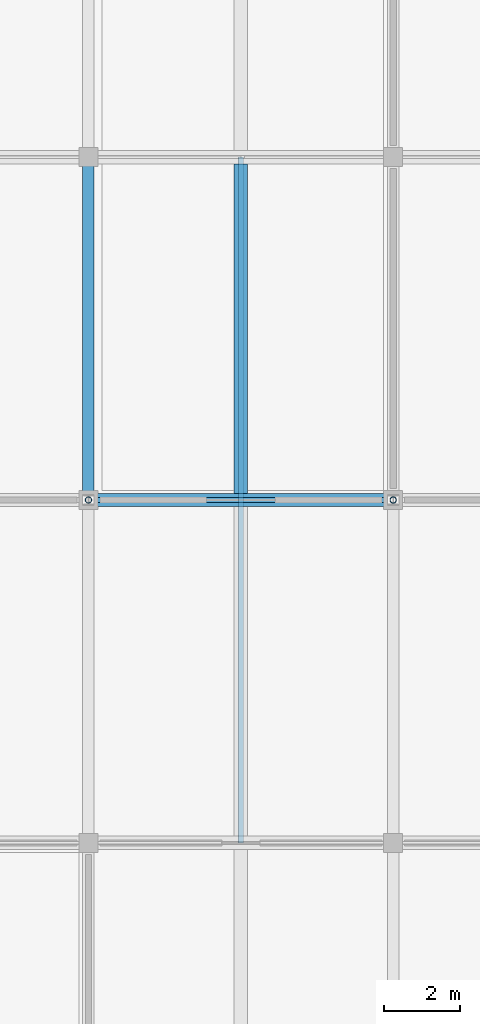
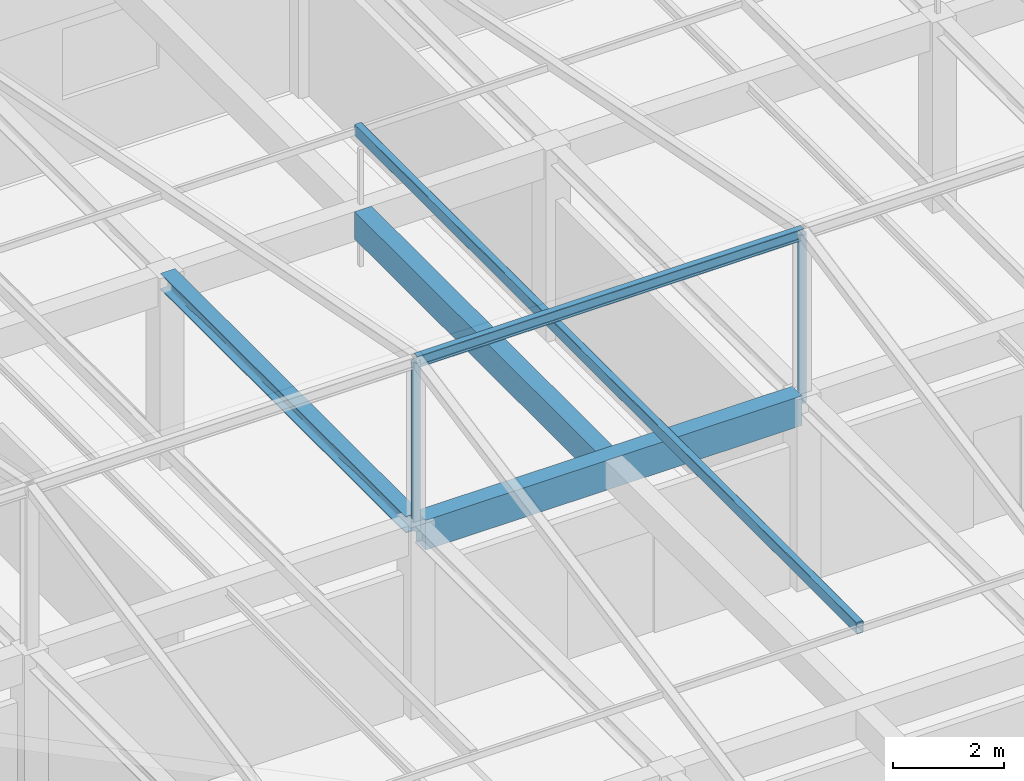
# One storey, part 14 of 65: 4 beams, 3 members.
"""IFC4 building model written with IfcOpenShell, lengths in metres."""

from ifc_helpers import new_model, si_unit, direction, frame, origin, origin_2d, place, context, subcontext, project, spatial, rectangle, hollow_rectangle, hollow_circle, i_section, extrude, material, material_profile, profile_set, type_object, element, save


model = new_model("IFC4")

# Units and contexts
model_context = context("Model", 3, precision=1e-05, world=origin(), true_north=direction((0.0, 1.0)))
body_context = subcontext(model_context, "Body", "Model", "MODEL_VIEW")
ifc_project = project(units=[si_unit("LENGTHUNIT", "METRE"), si_unit("AREAUNIT", "SQUARE_METRE"), si_unit("VOLUMEUNIT", "CUBIC_METRE"), si_unit("PLANEANGLEUNIT", "RADIAN"), si_unit("MASSUNIT", "GRAM", prefix="KILO")], contexts=[model_context])

# Site, building, storey
site_placement = place(None, origin())
site = spatial("IfcSite", under=ifc_project, at=site_placement, CompositionType="ELEMENT")
building_placement = place(site_placement, origin())
building = spatial("IfcBuilding", under=site, at=building_placement, Name="Varnabhumi Central Station", CompositionType="ELEMENT")
storey_placement = place(building_placement, frame((0.0, 0.0, 24.60009765625)))
storey = spatial("IfcBuildingStorey", under=building, at=storey_placement, Name="L05", CompositionType="ELEMENT", Elevation=24.60009765625)

# Beams
ifc_material_1 = material(Name="Structural steel E350", Category="steel")
ifc_material_profile_1 = material_profile(ifc_material_1, i_section(OverallWidth=0.125, OverallDepth=0.25, WebThickness=0.0068359375, FlangeThickness=0.012451171875, FilletRadius=0.012939453125, at=origin_2d()), Name="Structural steel E350", Category="steel")
ifc_profile_set_1 = profile_set([ifc_material_profile_1], Name="Structural steel E350")
beam_type_1 = type_object("IfcBeamType", Name="BM-PUR-ISMB250", PredefinedType="JOIST", material=ifc_profile_set_1)
beam_1_placement = place(storey_placement, frame((64.0, 18.0, 7.6298828125), z_axis=(1.0, 0.0, 0.0), x_axis=(0.0, 1.0, 0.0)))
element("IfcBeam", 1, at=beam_1_placement, inside=storey, type_object=beam_type_1, Name="Mission Roof Ridge Beam SW6E-5", PredefinedType="JOIST", context=body_context, shape_type="SweptSolid", body=[
    extrude(i_section(OverallWidth=0.125, OverallDepth=0.25, WebThickness=0.0068359375, FlangeThickness=0.012451171875, FilletRadius=0.012939453125, at=origin_2d()), origin(), (0.0, 0.0, 1.0), 8.0),
])
ifc_material_2 = material(Name="Concrete M40", Category="concrete")
ifc_material_profile_2 = material_profile(ifc_material_2, rectangle(XDim=0.35009765625, YDim=0.64990234375, at=origin_2d()), Name="Concrete M40", Category="concrete")
ifc_profile_set_2 = profile_set([ifc_material_profile_2], Name="Concrete M40")
beam_type_2 = type_object("IfcBeamType", Name="BM-RC-350x650", PredefinedType="BEAM", material=ifc_profile_set_2)
beam_2_placement = place(storey_placement, frame((64.10009765625, 18.0, 3.875), z_axis=(1.0, 0.0, 0.0), x_axis=(0.0, 1.0, 0.0)))
element("IfcBeam", 2, at=beam_2_placement, inside=storey, type_object=beam_type_2, Name="Beam L05-C:9-10", PredefinedType="BEAM", context=body_context, shape_type="SweptSolid", body=[
    extrude(rectangle(XDim=0.35009765625, YDim=0.64990234375, at=origin_2d()), origin(), (0.0, 0.0, 1.0), 7.7998046875),
])
ifc_material_profile_3 = material_profile(ifc_material_2, rectangle(XDim=0.35009765625, YDim=0.60009765625, at=origin_2d()), Name="Concrete M40", Category="concrete")
ifc_profile_set_3 = profile_set([ifc_material_profile_3], Name="Concrete M40")
beam_type_3 = type_object("IfcBeamType", Name="BM-RC-600x350", PredefinedType="JOIST", material=ifc_profile_set_3)
beam_3_placement = place(storey_placement, frame((68.0, 18.175048828125, 3.89990234375), z_axis=(0.0, 1.0, 0.0), x_axis=(-1.0, 0.0, 0.0)))
element("IfcBeam", 3, at=beam_3_placement, inside=storey, type_object=beam_type_3, Name="Secondary Joist L05-9/10:C-D", PredefinedType="JOIST", context=body_context, shape_type="SweptSolid", body=[
    extrude(rectangle(XDim=0.35009765625, YDim=0.60009765625, at=origin_2d()), origin(), (0.0, 0.0, 1.0), 8.64990234375),
])
ifc_material_profile_4 = material_profile(ifc_material_1, i_section(OverallWidth=0.300048828125, OverallDepth=0.360107421875, WebThickness=0.012451171875, FlangeThickness=0.0224609375, FilletRadius=0.027099609375, at=origin_2d()), Name="Structural steel E350", Category="steel")
ifc_profile_set_4 = profile_set([ifc_material_profile_4], Name="Structural steel E350")
beam_type_4 = type_object("IfcBeamType", Name="BM-STL-WPB360", PredefinedType="BEAM", material=ifc_profile_set_4)
beam_4_placement = place(storey_placement, frame((64.0, 18.10009765625, 4.02001953125), z_axis=(0.0, 1.0, 0.0), x_axis=(-1.0, 0.0, 0.0)))
element("IfcBeam", 4, at=beam_4_placement, inside=storey, type_object=beam_type_4, Name="Beam L05-9:C-D", PredefinedType="BEAM", context=body_context, shape_type="SweptSolid", body=[
    extrude(i_section(OverallWidth=0.300048828125, OverallDepth=0.360107421875, WebThickness=0.012451171875, FlangeThickness=0.0224609375, FilletRadius=0.027099609375, at=origin_2d()), origin(), (0.0, 0.0, 1.0), 8.7998046875),
])

# Members
ifc_material_profile_5 = material_profile(ifc_material_1, hollow_rectangle(XDim=0.14990234375, YDim=0.25, WallThickness=0.010009765625, InnerFilletRadius=0.010009765625, OuterFilletRadius=0.02001953125, at=origin_2d()), Name="Structural steel E350", Category="steel")
ifc_profile_set_5 = profile_set([ifc_material_profile_5], Name="Structural steel E350")
member_type_1 = type_object("IfcMemberType", Name="MBR-COLLAR-RHS", PredefinedType="COLLAR", material=ifc_profile_set_5)
member_placement = place(storey_placement, frame((68.0, 9.0, 5.844970703125), z_axis=(0.0, 1.0, 0.0), x_axis=(-1.0, 0.0, 0.0)))
element("IfcMember", 5, at=member_placement, inside=storey, type_object=member_type_1, Name="Mission Roof Collar Tie SW6E-5", PredefinedType="COLLAR", context=body_context, shape_type="SweptSolid", body=[
    extrude(hollow_rectangle(XDim=0.14990234375, YDim=0.25, WallThickness=0.010009765625, InnerFilletRadius=0.010009765625, OuterFilletRadius=0.02001953125, at=origin_2d()), origin(), (0.0, 0.0, 1.0), 18.0),
])
ifc_material_profile_6 = material_profile(ifc_material_1, hollow_circle(Radius=0.084228515625, WallThickness=0.008056640625, at=origin_2d()), Name="Structural steel E350", Category="steel")
ifc_profile_set_6 = profile_set([ifc_material_profile_6], Name="Structural steel E350")
member_type_2 = type_object("IfcMemberType", Name="MBR-STRUT-CHS168", PredefinedType="STRUT", material=ifc_profile_set_6)
for number, where, z_axis, x_axis, name in (
    (6, (64.0, 18.0, 3.949951171875), (0.0, 0.0, 1.0), (1.0, 0.0, 0.0), "Mission Roof King Strut SW6E-5"),
    (7, (72.0, 18.0, 3.949951171875), (0.0, 0.0, 1.0), (1.0, 0.0, 0.0), "Mission Roof King Strut SW6E-6"),
):
    element("IfcMember", number, at=place(storey_placement, frame(where, z_axis=z_axis, x_axis=x_axis)), inside=storey, type_object=member_type_2, Name=name, PredefinedType="STRUT", context=body_context, shape_type="SweptSolid", body=[
        extrude(hollow_circle(Radius=0.084228515625, WallThickness=0.008056640625, at=origin_2d()), origin(), (0.0, 0.0, 1.0), 3.679931640625),
    ])

save(model, "model.ifc")
